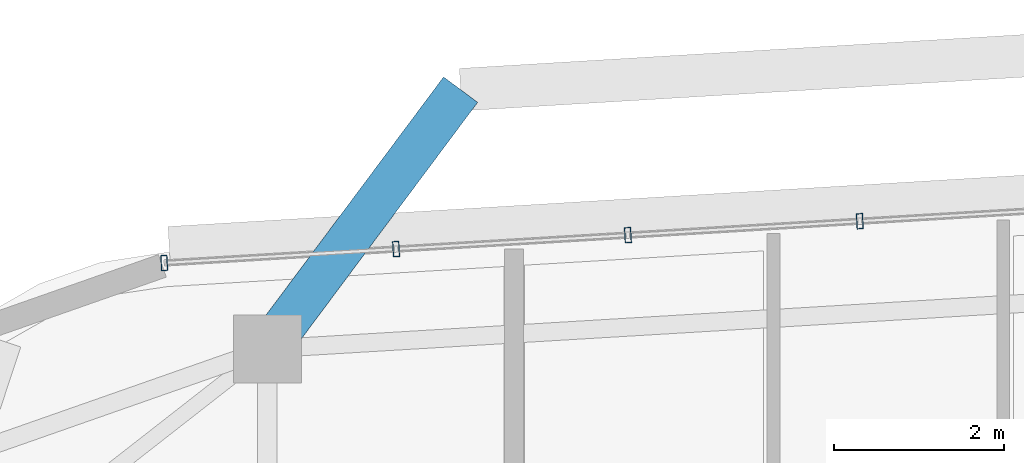
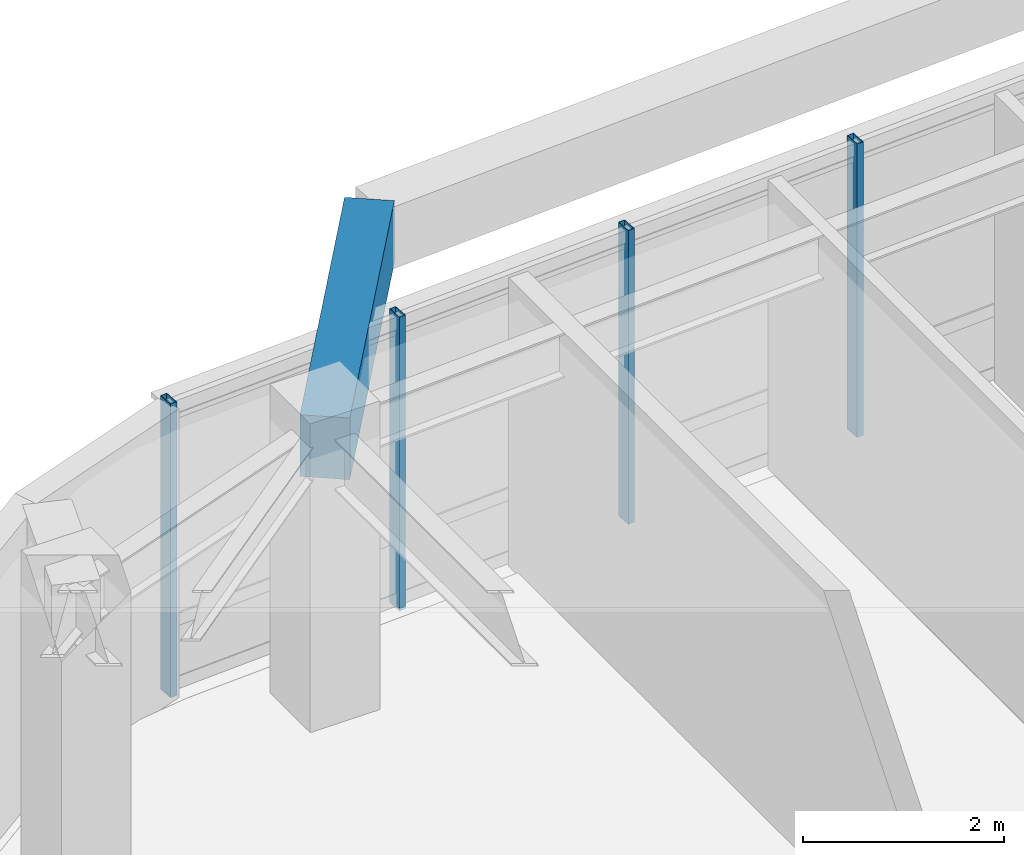
# One storey, part 2 of 12: 4 members, 1 beam, 1 element without a shape of its own.
"""IFC4 building model written with IfcOpenShell, lengths in metres."""

import ifcopenshell
import ifcopenshell.guid

model = None  # the IFC model being written
_history = None  # IfcOwnerHistory: only IFC2X3 demands one
_inside = {}  # id of a spatial element -> (the spatial element, [elements in it])
_under = {}  # id of a project, library or spatial element -> (it, [spatial elements below it])
_declared = {}  # id of a project -> (the project, [libraries it declares])
_typed = {}  # id of a type object -> (the type object, [elements of that type])
_made_of = {}  # id of a material, layer set ... -> (it, [elements and type objects made of it])


def new_model(schema):
    """Start an empty IFC model of exactly this schema.

    Asked for "IFC4X3", IfcOpenShell would pick the latest addendum, in which some entities
    have other attributes; the version numbers below select the first issue.
    IFC2X3 requires an IfcOwnerHistory on every rooted entity: one is made here for all.
    """
    global model, _history
    if schema == "IFC4X3":
        model = ifcopenshell.file(schema_version=(4, 3, 0, 0))
    else:
        model = ifcopenshell.file(schema=schema)
    _inside.clear()
    _under.clear()
    _declared.clear()
    _typed.clear()
    _made_of.clear()
    _history = None
    if model.schema == "IFC2X3":
        org = make("IfcOrganization", Name="unknown")
        user = make(
            "IfcPersonAndOrganization",
            ThePerson=make("IfcPerson", FamilyName="unknown"),
            TheOrganization=org,
        )
        app = make(
            "IfcApplication",
            ApplicationDeveloper=org,
            Version="unknown",
            ApplicationFullName="unknown",
            ApplicationIdentifier="unknown",
        )
        _history = make(
            "IfcOwnerHistory",
            OwningUser=user,
            OwningApplication=app,
            ChangeAction="ADDED",
            CreationDate=0,
        )
    return model


def make(cls, **values):
    """One entity of the class cls with the attributes given. An attribute that is None is left unset."""
    return model.create_entity(
        cls, **{name: value for name, value in values.items() if value is not None}
    )


def rooted(cls, **values):
    """An entity with a GlobalId (a new one), such as an element, a storey or a relation."""
    return make(cls, GlobalId=ifcopenshell.guid.new(), OwnerHistory=_history, **values)


def si_unit(unit_type, name, prefix=None):
    """IfcSIUnit, for example si_unit("LENGTHUNIT", "METRE", prefix="MILLI")."""
    return make("IfcSIUnit", UnitType=unit_type, Prefix=prefix, Name=name)


def assignment(units):
    """IfcUnitAssignment: the units of a project."""
    return None if units is None else make("IfcUnitAssignment", Units=units)


def point(xyz):
    """IfcCartesianPoint."""
    return None if xyz is None else make("IfcCartesianPoint", Coordinates=xyz)


def direction(xyz):
    """IfcDirection."""
    return None if xyz is None else make("IfcDirection", DirectionRatios=xyz)


def frame(location, z_axis=None, x_axis=None):
    """IfcAxis2Placement3D, a coordinate frame: its origin and axes. An axis left out is left unset."""
    return make(
        "IfcAxis2Placement3D",
        Location=point(location),
        Axis=direction(z_axis),
        RefDirection=direction(x_axis),
    )


def frame_2d(location, x_axis=None):
    """IfcAxis2Placement2D, a coordinate frame in the plane: its origin and x axis."""
    return make(
        "IfcAxis2Placement2D", Location=point(location), RefDirection=direction(x_axis)
    )


def origin():
    """The frame at (0, 0, 0) with its axes left unset."""
    return frame((0.0, 0.0, 0.0))


def origin_2d():
    """The frame at (0, 0) in the plane with its x axis left unset."""
    return frame_2d((0.0, 0.0))


def place(relative_to, where):
    """IfcLocalPlacement: puts the frame where relative to a parent placement (None: the world)."""
    return make(
        "IfcLocalPlacement", PlacementRelTo=relative_to, RelativePlacement=where
    )


def context(
    kind, dimensions, precision=None, world=None, true_north=None, identifier=None
):
    """IfcGeometricRepresentationContext, for example the 3D "Model" context."""
    return make(
        "IfcGeometricRepresentationContext",
        ContextIdentifier=identifier,
        ContextType=kind,
        CoordinateSpaceDimension=dimensions,
        Precision=precision,
        WorldCoordinateSystem=world,
        TrueNorth=true_north,
    )


def subcontext(parent, identifier, kind, view, scale=None):
    """IfcGeometricRepresentationSubContext, for example "Body" below "Model"."""
    return make(
        "IfcGeometricRepresentationSubContext",
        ContextIdentifier=identifier,
        ContextType=kind,
        ParentContext=parent,
        TargetScale=scale,
        TargetView=view,
    )


def project(units=None, contexts=None):
    """IfcProject with its units and contexts."""
    return rooted(
        "IfcProject",
        Name="project",
        RepresentationContexts=contexts,
        UnitsInContext=assignment(units),
    )


def spatial(cls, under=None, at=None, **own):
    """A site, building, storey or space (cls), placed at a placement, below another one or the project."""
    s = rooted(cls, ObjectPlacement=at, **own)
    if under is not None:
        _under.setdefault(under.id(), (under, []))[1].append(s)
    return s


def profile(cls, at=None, kind="AREA", **sizes):
    """A parametric profile (cls). Its sizes go by their IFC names, for example OverallWidth=200.0."""
    return make(cls, ProfileType=kind, Position=at, **sizes)


def rectangle(**sizes):
    """IfcRectangleProfileDef."""
    return profile("IfcRectangleProfileDef", **sizes)


def hollow_rectangle(**sizes):
    """IfcRectangleHollowProfileDef."""
    return profile("IfcRectangleHollowProfileDef", **sizes)


def extrude(swept, where, along, depth):
    """IfcExtrudedAreaSolid: the profile swept, set in the frame where, extruded along a direction by depth."""
    return make(
        "IfcExtrudedAreaSolid",
        SweptArea=swept,
        Position=where,
        ExtrudedDirection=direction(along),
        Depth=depth,
    )


def shape(context_of_items, identifier, shape_type, items):
    """IfcShapeRepresentation: the items that make up one representation, for example the "Body"."""
    return make(
        "IfcShapeRepresentation",
        ContextOfItems=context_of_items,
        RepresentationIdentifier=identifier,
        RepresentationType=shape_type,
        Items=items,
    )


def material(Name=None, Category=None):
    """IfcMaterial."""
    return make("IfcMaterial", Name=Name, Category=Category)


def material_profile(
    of_material, cross_section, Name=None, Category=None, Priority=None
):
    """IfcMaterialProfile: a cross section and its material."""
    return make(
        "IfcMaterialProfile",
        Name=Name,
        Material=of_material,
        Profile=cross_section,
        Priority=Priority,
        Category=Category,
    )


def profile_set(profiles, Name=None, composite=None):
    """IfcMaterialProfileSet."""
    return make(
        "IfcMaterialProfileSet",
        Name=Name,
        MaterialProfiles=profiles,
        CompositeProfile=composite,
    )


def made_of(thing, what):
    """Note that an element or type object is made of a material, layer set ...; save() writes the relation."""
    if what is not None:
        _made_of.setdefault(what.id(), (what, []))[1].append(thing)
    return thing


def type_object(cls, material=None, **own):
    """A type object (cls), such as IfcWallType, which elements share."""
    return made_of(rooted(cls, **own), material)


def element(
    cls,
    number,
    at=None,
    inside=None,
    cuts=None,
    type_object=None,
    material=None,
    context=None,
    identifier="Body",
    shape_type=None,
    held_by="IfcProductDefinitionShape",
    body=None,
    shapes=None,
    **own,
):
    """One element of the class cls, such as IfcWall. Its Tag is "e" and its number.

    at: its placement. inside: the storey or other place that contains it. cuts: it is an
    opening in that element (IfcRelVoidsElement). A single representation is given by context,
    identifier, shape_type and body (its items); several are given by shapes. held_by: the class
    of the entity that holds the representations. save() writes the other relations.
    """
    e = rooted(cls, Tag="e%d" % number, ObjectPlacement=at, **own)
    if body is not None:
        shapes = [shape(context, identifier, shape_type, body)]
    if shapes is not None:
        e.Representation = make(held_by, Representations=shapes)
    if inside is not None:
        _inside.setdefault(inside.id(), (inside, []))[1].append(e)
    if cuts is not None:
        rooted(
            "IfcRelVoidsElement", RelatingBuildingElement=cuts, RelatedOpeningElement=e
        )
    if type_object is not None:
        _typed.setdefault(type_object.id(), (type_object, []))[1].append(e)
    return made_of(e, material)


def aggregate(whole, parts):
    """IfcRelAggregates: a whole, such as a stair, and the parts it consists of."""
    return rooted("IfcRelAggregates", RelatingObject=whole, RelatedObjects=parts)


def save(model, path):
    """Write the relations noted so far, then the file.

    IfcRelAggregates (storeys below a building ...), IfcRelContainedInSpatialStructure (elements
    in a storey), IfcRelDefinesByType, IfcRelAssociatesMaterial and IfcRelDeclares: one each for
    every whole, place, type object, material and project.
    """
    for whole, parts in _under.values():
        aggregate(whole, parts)
    for where, things in _inside.values():
        rooted(
            "IfcRelContainedInSpatialStructure",
            RelatedElements=things,
            RelatingStructure=where,
        )
    for kind, things in _typed.values():
        rooted("IfcRelDefinesByType", RelatedObjects=things, RelatingType=kind)
    for what, things in _made_of.values():
        rooted("IfcRelAssociatesMaterial", RelatedObjects=things, RelatingMaterial=what)
    for by, libraries in _declared.values():
        rooted("IfcRelDeclares", RelatingContext=by, RelatedDefinitions=libraries)
    model.write(path)


model = new_model("IFC4")

# Units and contexts
model_context = context("Model", 3, precision=1e-05, world=origin(), true_north=direction((0.0, 1.0)))
body_context = subcontext(model_context, "Body", "Model", "MODEL_VIEW")
ifc_project = project(units=[si_unit("LENGTHUNIT", "METRE"), si_unit("AREAUNIT", "SQUARE_METRE"), si_unit("VOLUMEUNIT", "CUBIC_METRE"), si_unit("PLANEANGLEUNIT", "RADIAN"), si_unit("MASSUNIT", "GRAM", prefix="KILO")], contexts=[model_context])

# Site, building, storey
site_placement = place(None, origin())
site = spatial("IfcSite", under=ifc_project, at=site_placement, CompositionType="ELEMENT")
building_placement = place(site_placement, origin())
building = spatial("IfcBuilding", under=site, at=building_placement, Name="Zulverin Broadcast Headquarters", CompositionType="ELEMENT")
storey_placement = place(building_placement, frame((0.0, 0.0, 240.199951171875)))
storey = spatial("IfcBuildingStorey", under=building, at=storey_placement, Name="L61", CompositionType="ELEMENT", Elevation=240.199951171875)

# Beam
ifc_material_1 = material(Name="Concrete C40/50", Category="concrete")
ifc_material_profile_1 = material_profile(ifc_material_1, rectangle(XDim=0.5, YDim=0.75, at=origin_2d()), Name="Concrete C40/50", Category="concrete")
ifc_profile_set_1 = profile_set([ifc_material_profile_1], Name="Concrete C40/50")
beam_type = type_object("IfcBeamType", Name="BM-RC-500x750", PredefinedType="BEAM", material=ifc_profile_set_1)
beam_placement = place(storey_placement, frame((29.70068359375, 46.64111328125, 3.135009765625), z_axis=(0.597756700855, 0.801677570213, 0.0), x_axis=(-0.801677570213, 0.597756700855, 0.0)))
element("IfcBeam", 1, at=beam_placement, inside=storey, type_object=beam_type, Name="L62 Balcony Column-Framed Cantilever BAL_N-2", PredefinedType="BEAM", context=body_context, shape_type="SweptSolid", body=[
    extrude(rectangle(XDim=0.5, YDim=0.75, at=origin_2d()), origin(), (0.0, 0.0, 1.0), 3.800048828125),
])

# Curtain wall, members
ifc_material_2 = material(Name="High-zone solar-control unitised curtain wall", Category="aluminium")
curtain_wall_type = type_object("IfcCurtainWallType", Name="CW-TWR-UPP", PredefinedType="USERDEFINED", material=ifc_material_2)
curtain_wall_placement = place(storey_placement, origin())
curtain_wall = element("IfcCurtainWall", 2, at=curtain_wall_placement, inside=storey, type_object=curtain_wall_type, Name="L61 Unitised Curtain Wall CW-L61-E5", ObjectType="UNITISED CURTAIN WALL", PredefinedType="USERDEFINED")
ifc_material_3 = material(Name="Anodized pale-metal aluminium alloy 6063-T6", Category="aluminium")
ifc_material_profile_2 = material_profile(ifc_material_3, hollow_rectangle(XDim=0.074951171875, YDim=0.179931640625, WallThickness=0.0048828125, at=origin_2d()), Name="Anodized pale-metal aluminium alloy 6063-T6", Category="aluminium")
ifc_profile_set_2 = profile_set([ifc_material_profile_2], Name="Anodized pale-metal aluminium alloy 6063-T6")
member_type = type_object("IfcMemberType", Name="CW-MUL-180", PredefinedType="MULLION", material=ifc_profile_set_2)
member_1_placement = place(storey_placement, frame((36.663818359375, 48.14111328125, -0.030029296875), z_axis=(0.0, 0.0, 1.0), x_axis=(-0.99820257679, -0.059930090026, 0.0)))
member_1 = element("IfcMember", 3, at=member_1_placement, type_object=member_type, Name="CW-L61-E5 Mullion 04", PredefinedType="MULLION", context=body_context, shape_type="SweptSolid", body=[
    extrude(hollow_rectangle(XDim=0.074951171875, YDim=0.179931640625, WallThickness=0.0048828125, at=origin_2d()), origin(), (0.0, 0.0, 1.0), 3.570068359375),
])
member_2_placement = place(storey_placement, frame((33.9384765625, 47.977294921875, -0.030029296875), z_axis=(0.0, 0.0, 1.0), x_axis=(-0.99820257679, -0.059930090026, 0.0)))
member_2 = element("IfcMember", 4, at=member_2_placement, type_object=member_type, Name="CW-L61-E5 Mullion 05", PredefinedType="MULLION", context=body_context, shape_type="SweptSolid", body=[
    extrude(hollow_rectangle(XDim=0.074951171875, YDim=0.179931640625, WallThickness=0.0048828125, at=origin_2d()), origin(), (0.0, 0.0, 1.0), 3.570068359375),
])
member_3_placement = place(storey_placement, frame((31.21337890625, 47.813720703125, -0.030029296875), z_axis=(0.0, 0.0, 1.0), x_axis=(-0.99820257679, -0.059930090026, 0.0)))
member_3 = element("IfcMember", 5, at=member_3_placement, type_object=member_type, Name="CW-L61-E5 Mullion 06", PredefinedType="MULLION", context=body_context, shape_type="SweptSolid", body=[
    extrude(hollow_rectangle(XDim=0.074951171875, YDim=0.179931640625, WallThickness=0.0048828125, at=origin_2d()), origin(), (0.0, 0.0, 1.0), 3.570068359375),
])
member_4_placement = place(storey_placement, frame((28.488037109375, 47.650146484375, -0.030029296875), z_axis=(0.0, 0.0, 1.0), x_axis=(-0.99820257679, -0.059930090026, 0.0)))
member_4 = element("IfcMember", 6, at=member_4_placement, type_object=member_type, Name="CW-L61-E5 Mullion 07", PredefinedType="MULLION", context=body_context, shape_type="SweptSolid", body=[
    extrude(hollow_rectangle(XDim=0.074951171875, YDim=0.179931640625, WallThickness=0.0048828125, at=origin_2d()), origin(), (0.0, 0.0, 1.0), 3.570068359375),
])
aggregate(curtain_wall, [member_1, member_2, member_3, member_4])

save(model, "model.ifc")
